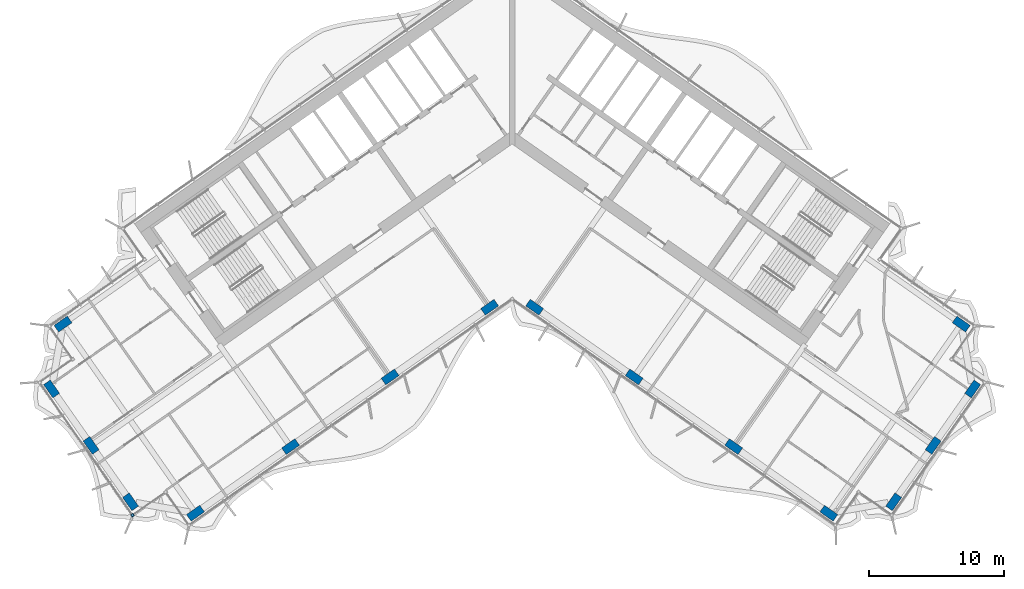
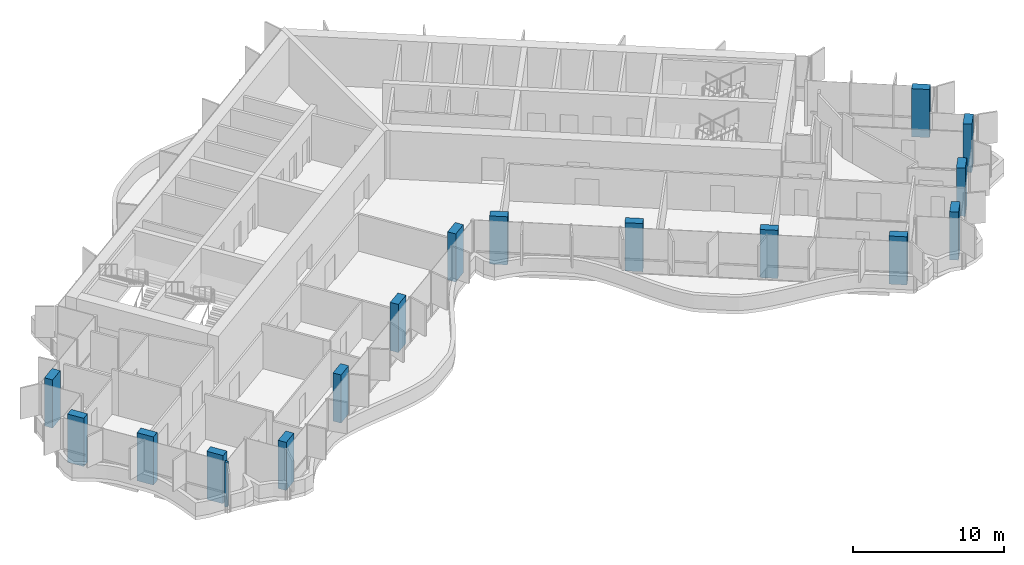
# One storey, part 1 of 21: 16 columns, 1 member, 1 element without a shape of its own.
"""IFC4 building model written with IfcOpenShell, lengths in metres."""

from ifc_helpers import new_model, si_unit, direction, frame, origin, origin_2d, place, context, subcontext, project, spatial, rectangle, extrude, material, material_profile, profile_set, type_object, element, aggregate, save


model = new_model("IFC4")

# Units and contexts
model_context = context("Model", 3, precision=1e-05, world=origin(), true_north=direction((0.0, 1.0)))
body_context = subcontext(model_context, "Body", "Model", "MODEL_VIEW")
ifc_project = project(units=[si_unit("LENGTHUNIT", "METRE"), si_unit("AREAUNIT", "SQUARE_METRE"), si_unit("VOLUMEUNIT", "CUBIC_METRE"), si_unit("PLANEANGLEUNIT", "RADIAN"), si_unit("MASSUNIT", "GRAM", prefix="KILO")], contexts=[model_context])

# Site, building, storey
site_placement = place(None, origin())
site = spatial("IfcSite", under=ifc_project, at=site_placement, CompositionType="ELEMENT")
building_placement = place(site_placement, origin())
building = spatial("IfcBuilding", under=site, at=building_placement, Name="Tel Ilan Convention Tower", CompositionType="ELEMENT")
storey_placement = place(building_placement, frame((0.0, 0.0, 206.10009765625)))
storey = spatial("IfcBuildingStorey", under=building, at=storey_placement, Name="L48", CompositionType="ELEMENT", Elevation=206.10009765625)

# Columns
ifc_material_1 = material(Name="Concrete C50/60", Category="concrete")
ifc_material_profile_1 = material_profile(ifc_material_1, rectangle(XDim=1.199951171875, YDim=0.60009765625, at=origin_2d()), Name="RC 600x1200")
ifc_profile_set_1 = profile_set([ifc_material_profile_1], Name="Concrete C50/60")
column_type = type_object("IfcColumnType", Name="Column RC 600x1200 C50/60", PredefinedType="COLUMN", material=ifc_profile_set_1)
for number, where, z_axis, x_axis, name in (
    (1, (-1.665283203125, -13.312744140625, 0.0), (0.0, 0.0, 1.0), (-0.819152044289, -0.573576436351, 0.0), "L48 column W-F1"),
    (2, (-9.03759765625, -18.474853515625, 0.0), (0.0, 0.0, 1.0), (-0.819152044289, -0.573576436351, 0.0), "L48 column W-F2"),
    (3, (-16.409912109375, -23.63720703125, 0.0), (0.0, 0.0, 1.0), (-0.819152044289, -0.573576436351, 0.0), "L48 column W-F3"),
    (4, (-23.45458984375, -28.56982421875, 0.0), (0.0, 0.0, 1.0), (-0.819152044289, -0.573576436351, 0.0), "L48 column W-FC"),
    (5, (-33.262939453125, -14.5625, 0.0), (0.0, 0.0, 1.0), (-0.819152044289, -0.573576436351, 0.0), "L48 column W-BC"),
    (6, (-28.259521484375, -27.72265625, 0.0), (0.0, 0.0, 1.0), (-0.573576436351, 0.819152044289, 0.0), "L48 column W-E1"),
    (7, (-31.184814453125, -23.544921875, 0.0), (0.0, 0.0, 1.0), (-0.573576436351, 0.819152044289, 0.0), "L48 column W-E2"),
    (8, (-34.110107421875, -19.3671875, 0.0), (0.0, 0.0, 1.0), (-0.573576436351, 0.819152044289, 0.0), "L48 column W-E3"),
    (9, (1.665283203125, -13.312744140625, 0.0), (0.0, 0.0, 1.0), (0.819152044289, -0.573576436351, 0.0), "L48 column E-F1"),
    (10, (9.03759765625, -18.474853515625, 0.0), (0.0, 0.0, 1.0), (0.819152044289, -0.573576436351, 0.0), "L48 column E-F2"),
    (11, (16.409912109375, -23.63720703125, 0.0), (0.0, 0.0, 1.0), (0.819152044289, -0.573576436351, 0.0), "L48 column E-F3"),
    (12, (23.45458984375, -28.56982421875, 0.0), (0.0, 0.0, 1.0), (0.819152044289, -0.573576436351, 0.0), "L48 column E-FC"),
    (13, (33.262939453125, -14.5625, 0.0), (0.0, 0.0, 1.0), (0.819152044289, -0.573576436351, 0.0), "L48 column E-BC"),
    (14, (28.259521484375, -27.72265625, 0.0), (0.0, 0.0, 1.0), (0.573576436351, 0.819152044289, 0.0), "L48 column E-E1"),
    (15, (31.184814453125, -23.544921875, 0.0), (0.0, 0.0, 1.0), (0.573576436351, 0.819152044289, 0.0), "L48 column E-E2"),
    (16, (34.110107421875, -19.3671875, 0.0), (0.0, 0.0, 1.0), (0.573576436351, 0.819152044289, 0.0), "L48 column E-E3"),
):
    element("IfcColumn", number, at=place(storey_placement, frame(where, z_axis=z_axis, x_axis=x_axis)), inside=storey, type_object=column_type, Name=name, PredefinedType="COLUMN", context=body_context, shape_type="SweptSolid", body=[
        extrude(rectangle(XDim=1.199951171875, YDim=0.60009765625, at=origin_2d()), origin(), (0.0, 0.0, 1.0), 3.89990234375),
    ])

# Curtain wall, member
ifc_material_2 = material(Name="Aluminium, bronze anodised", Category="aluminium")
curtain_wall_type = type_object("IfcCurtainWallType", Name="CW4 STICK CURTAIN WALL, OFFICE TINTED GLASS", PredefinedType="NOTDEFINED", material=ifc_material_2)
curtain_wall_placement = place(storey_placement, origin())
curtain_wall = element("IfcCurtainWall", 17, at=curtain_wall_placement, inside=storey, type_object=curtain_wall_type, Name="Curtain wall CW4-38.02", PredefinedType="NOTDEFINED")
ifc_material_3 = material(Name="Aluminium, bronze anodised", Category="aluminium")
ifc_material_profile_2 = material_profile(ifc_material_3, rectangle(XDim=0.199951171875, YDim=0.199951171875, at=origin_2d()), Name="CW CORNER MULLION 200x200")
ifc_profile_set_2 = profile_set([ifc_material_profile_2], Name="Aluminium, bronze anodised")
member_type = type_object("IfcMemberType", Name="CW CORNER MULLION 200x200", PredefinedType="MULLION", material=ifc_profile_set_2)
member_placement = place(storey_placement, frame((-28.112060546875, -28.718017578125, 0.0), z_axis=(0.0, 0.0, 1.0), x_axis=(0.573576436351, -0.819152044289, 0.0)))
member = element("IfcMember", 18, at=member_placement, type_object=member_type, Name="Corner mullion", PredefinedType="MULLION", context=body_context, shape_type="SweptSolid", body=[
    extrude(rectangle(XDim=0.199951171875, YDim=0.199951171875, at=origin_2d()), origin(), (0.0, 0.0, 1.0), 3.619873046875),
])
aggregate(curtain_wall, [member])

save(model, "model.ifc")
